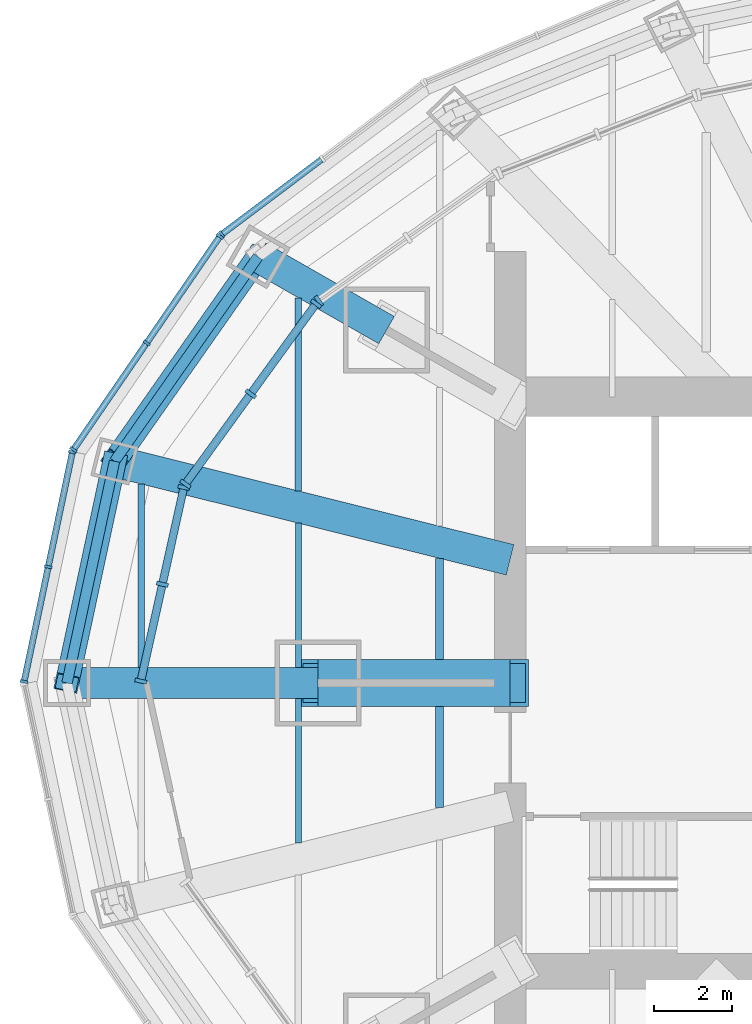
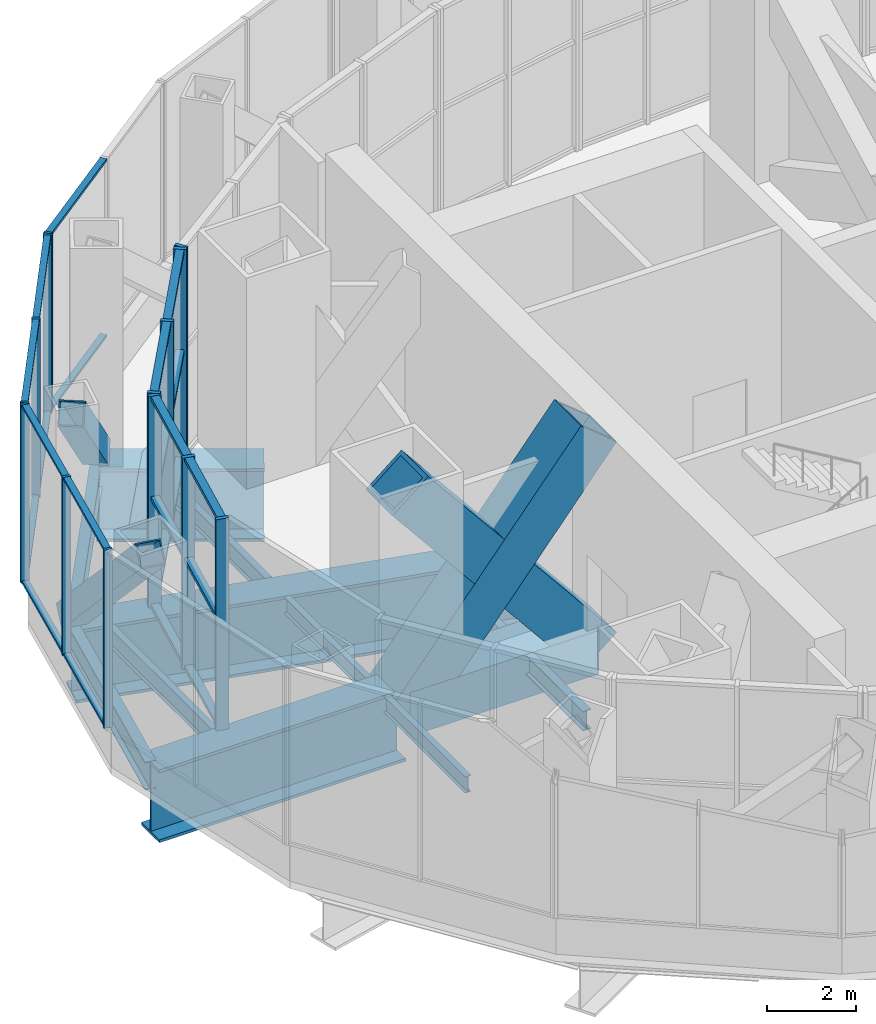
# One storey, part 5 of 21: 40 members, 12 beams, 6 elements without a shape of their own.
"""IFC4 building model written with IfcOpenShell, lengths in metres."""

from ifc_helpers import new_model, si_unit, direction, frame, origin, origin_2d, place, context, subcontext, project, spatial, rectangle, hollow_rectangle, i_section, extrude, material, material_profile, profile_set, type_object, element, aggregate, save


model = new_model("IFC4")

# Units and contexts
model_context = context("Model", 3, precision=1e-05, world=origin(), true_north=direction((0.0, 1.0)))
body_context = subcontext(model_context, "Body", "Model", "MODEL_VIEW")
ifc_project = project(units=[si_unit("LENGTHUNIT", "METRE"), si_unit("AREAUNIT", "SQUARE_METRE"), si_unit("VOLUMEUNIT", "CUBIC_METRE"), si_unit("PLANEANGLEUNIT", "RADIAN"), si_unit("MASSUNIT", "GRAM", prefix="KILO")], contexts=[model_context])

# Site, building, storey
site_placement = place(None, origin())
site = spatial("IfcSite", under=ifc_project, at=site_placement, CompositionType="ELEMENT")
building_placement = place(site_placement, origin())
building = spatial("IfcBuilding", under=site, at=building_placement, Name="Lantaw Convention Tower", CompositionType="ELEMENT")
storey_placement = place(building_placement, frame((0.0, 0.0, 284.39990234375)))
storey = spatial("IfcBuildingStorey", under=building, at=storey_placement, Name="L66", CompositionType="ELEMENT", Elevation=284.39990234375)

# Beams
ifc_material_1 = material(Name="Steel ASTM A992", Category="steel")
ifc_material_profile_1 = material_profile(ifc_material_1, i_section(OverallWidth=0.2666015625, OverallDepth=0.76953125, WebThickness=0.015625, FlangeThickness=0.025390625, FilletRadius=0.0126953125, at=origin_2d()), Name="W30X132")
ifc_profile_set_1 = profile_set([ifc_material_profile_1], Name="Steel ASTM A992")
beam_type_1 = type_object("IfcBeamType", Name="Beam E W30X132", PredefinedType="SPANDREL", material=ifc_profile_set_1)
beam_1_placement = place(storey_placement, frame((-19.02685546875, 10.87255859375, -0.584716796875), z_axis=(-0.574400527612, -0.81857439117, 0.0), x_axis=(0.81857439117, -0.574400527612, 0.0)))
element("IfcBeam", 1, at=beam_1_placement, inside=storey, type_object=beam_type_1, Name="Edge beam 11", PredefinedType="SPANDREL", context=body_context, shape_type="SweptSolid", body=[
    extrude(i_section(OverallWidth=0.2666015625, OverallDepth=0.76953125, WebThickness=0.015625, FlangeThickness=0.025390625, FilletRadius=0.0126953125, at=origin_2d()), origin(), (0.0, 0.0, 1.0), 6.3720703125),
])
beam_2_placement = place(storey_placement, frame((-22.68701171875, 5.656494140625, -0.584716796875), z_axis=(-0.209658780372, -0.977774614015, 0.0), x_axis=(0.977774614015, -0.209658780372, 0.0)))
element("IfcBeam", 2, at=beam_2_placement, inside=storey, type_object=beam_type_1, Name="Edge beam 12", PredefinedType="SPANDREL", context=body_context, shape_type="SweptSolid", body=[
    extrude(i_section(OverallWidth=0.2666015625, OverallDepth=0.76953125, WebThickness=0.015625, FlangeThickness=0.025390625, FilletRadius=0.0126953125, at=origin_2d()), origin(), (0.0, 0.0, 1.0), 5.78515625),
])
ifc_material_2 = material(Name="Steel ASTM A572 Grade 50", Category="steel")
ifc_material_profile_2 = material_profile(ifc_material_2, i_section(OverallWidth=0.800048828125, OverallDepth=2.0, WebThickness=0.030029296875, FlangeThickness=0.080078125, at=origin_2d()), Name="PG2000X800X30X80")
ifc_profile_set_2 = profile_set([ifc_material_profile_2], Name="Steel ASTM A572 Grade 50")
beam_type_2 = type_object("IfcBeamType", Name="Beam HG PG2000X800X30X80", PredefinedType="BEAM", material=ifc_profile_set_2)
beam_3_placement = place(storey_placement, frame((-15.75, 9.0, -1.199951171875), z_axis=(-0.868235180478, 0.496152870978, 0.0), x_axis=(-0.496152870978, -0.868235180478, 0.0)))
element("IfcBeam", 3, at=beam_3_placement, inside=storey, type_object=beam_type_2, Name="Floor girder on ray 11", PredefinedType="BEAM", context=body_context, shape_type="SweptSolid", body=[
    extrude(i_section(OverallWidth=0.800048828125, OverallDepth=2.0, WebThickness=0.030029296875, FlangeThickness=0.080078125, at=origin_2d()), origin(), (0.0, 0.0, 1.0), 3.774169921875),
])
beam_4_placement = place(storey_placement, frame((-12.60009765625, 3.1416015625, -1.199951171875), z_axis=(-0.97029702597, 0.241916682751, 0.0), x_axis=(-0.241916682751, -0.97029702597, 0.0)))
element("IfcBeam", 4, at=beam_4_placement, inside=storey, type_object=beam_type_2, Name="Floor girder on ray 12", PredefinedType="BEAM", context=body_context, shape_type="SweptSolid", body=[
    extrude(i_section(OverallWidth=0.800048828125, OverallDepth=2.0, WebThickness=0.030029296875, FlangeThickness=0.080078125, at=origin_2d()), origin(), (0.0, 0.0, 1.0), 10.395751953125),
])
beam_5_placement = place(storey_placement, frame((-17.5, 0.0, -1.199951171875), z_axis=(-1.0, 0.0, 0.0), x_axis=(0.0, -1.0, 0.0)))
element("IfcBeam", 5, at=beam_5_placement, inside=storey, type_object=beam_type_2, Name="Floor girder on ray 13", PredefinedType="BEAM", context=body_context, shape_type="SweptSolid", body=[
    extrude(i_section(OverallWidth=0.800048828125, OverallDepth=2.0, WebThickness=0.030029296875, FlangeThickness=0.080078125, at=origin_2d()), origin(), (0.0, 0.0, 1.0), 6.39990234375),
])
ifc_material_profile_3 = material_profile(ifc_material_1, i_section(OverallWidth=0.15234375, OverallDepth=0.449462890625, WebThickness=0.007568359375, FlangeThickness=0.0107421875, FilletRadius=0.01025390625, at=origin_2d()), Name="W18X35")
ifc_profile_set_3 = profile_set([ifc_material_profile_3], Name="Steel ASTM A992")
beam_type_3 = type_object("IfcBeamType", Name="Beam J W18X35", PredefinedType="JOIST", material=ifc_profile_set_3)
for number, where, z_axis, x_axis, name in (
    (6, (-18.0, -4.07568359375, -0.4248046875), (0.0, 1.0, 0.0), (-1.0, 0.0, 0.0), "Floor joist"),
    (7, (-18.0, 0.39990234375, -0.4248046875), (0.0, 1.0, 0.0), (-1.0, 0.0, 0.0), "Floor joist"),
):
    element("IfcBeam", number, at=place(storey_placement, frame(where, z_axis=z_axis, x_axis=x_axis)), inside=storey, type_object=beam_type_3, Name=name, PredefinedType="JOIST", context=body_context, shape_type="SweptSolid", body=[
        extrude(i_section(OverallWidth=0.15234375, OverallDepth=0.449462890625, WebThickness=0.007568359375, FlangeThickness=0.0107421875, FilletRadius=0.01025390625, at=origin_2d()), origin(), (0.0, 0.0, 1.0), 3.67578125),
    ])
ifc_material_profile_4 = material_profile(ifc_material_1, i_section(OverallWidth=0.1650390625, OverallDepth=0.52587890625, WebThickness=0.0087890625, FlangeThickness=0.011474609375, FilletRadius=0.0126953125, at=origin_2d()), Name="W21X44")
ifc_profile_set_4 = profile_set([ifc_material_profile_4], Name="Steel ASTM A992")
beam_type_4 = type_object("IfcBeamType", Name="Beam J W21X44", PredefinedType="JOIST", material=ifc_profile_set_4)
beam_6_placement = place(storey_placement, frame((-22.0, 0.39990234375, -0.462890625), z_axis=(0.0, 1.0, 0.0), x_axis=(-1.0, 0.0, 0.0)))
element("IfcBeam", 8, at=beam_6_placement, inside=storey, type_object=beam_type_4, Name="Floor joist", PredefinedType="JOIST", context=body_context, shape_type="SweptSolid", body=[
    extrude(i_section(OverallWidth=0.1650390625, OverallDepth=0.52587890625, WebThickness=0.0087890625, FlangeThickness=0.011474609375, FilletRadius=0.0126953125, at=origin_2d()), origin(), (0.0, 0.0, 1.0), 4.673095703125),
])
ifc_material_profile_5 = material_profile(ifc_material_1, i_section(OverallWidth=0.165771484375, OverallDepth=0.5283203125, WebThickness=0.009765625, FlangeThickness=0.013671875, FilletRadius=0.012939453125, at=origin_2d()), Name="W21X50")
ifc_profile_set_5 = profile_set([ifc_material_profile_5], Name="Steel ASTM A992")
beam_type_5 = type_object("IfcBeamType", Name="Beam J W21X50", PredefinedType="JOIST", material=ifc_profile_set_5)
beam_7_placement = place(storey_placement, frame((-18.0, 4.900146484375, -0.464111328125), z_axis=(0.0, 1.0, 0.0), x_axis=(-1.0, 0.0, 0.0)))
element("IfcBeam", 9, at=beam_7_placement, inside=storey, type_object=beam_type_5, Name="Floor joist", PredefinedType="JOIST", context=body_context, shape_type="SweptSolid", body=[
    extrude(i_section(OverallWidth=0.165771484375, OverallDepth=0.5283203125, WebThickness=0.009765625, FlangeThickness=0.013671875, FilletRadius=0.012939453125, at=origin_2d()), origin(), (0.0, 0.0, 1.0), 4.9248046875),
])
ifc_material_profile_6 = material_profile(ifc_material_1, i_section(OverallWidth=0.2099609375, OverallDepth=0.535888671875, WebThickness=0.010986328125, FlangeThickness=0.017333984375, FilletRadius=0.012939453125, at=origin_2d()), Name="W21X68")
ifc_profile_set_6 = profile_set([ifc_material_profile_6], Name="Steel ASTM A992")
beam_type_6 = type_object("IfcBeamType", Name="Beam J W21X68", PredefinedType="JOIST", material=ifc_profile_set_6)
for number, where, z_axis, x_axis, name in (
    (10, (-14.39990234375, -3.177978515625, -0.4677734375), (0.0, 1.0, 0.0), (-1.0, 0.0, 0.0), "Floor joist"),
    (11, (-14.39990234375, 0.60009765625, -0.4677734375), (0.0, 1.0, 0.0), (-1.0, 0.0, 0.0), "Floor joist"),
):
    element("IfcBeam", number, at=place(storey_placement, frame(where, z_axis=z_axis, x_axis=x_axis)), inside=storey, type_object=beam_type_6, Name=name, PredefinedType="JOIST", context=body_context, shape_type="SweptSolid", body=[
        extrude(i_section(OverallWidth=0.2099609375, OverallDepth=0.535888671875, WebThickness=0.010986328125, FlangeThickness=0.017333984375, FilletRadius=0.012939453125, at=origin_2d()), origin(), (0.0, 0.0, 1.0), 2.577880859375),
    ])
ifc_material_3 = material(Name="Steel EN 10025-3 S460N", Category="steel")
ifc_material_profile_7 = material_profile(ifc_material_3, hollow_rectangle(XDim=1.199951171875, YDim=1.199951171875, WallThickness=0.10009765625, at=origin_2d()), Name="BOX1200X100")
ifc_profile_set_7 = profile_set([ifc_material_profile_7], Name="Steel EN 10025-3 S460N")
beam_type_7 = type_object("IfcBeamType", Name="Beam OC BOX1200X100", PredefinedType="BEAM", material=ifc_profile_set_7)
beam_8_placement = place(storey_placement, frame((-12.60009765625, 0.0, -0.7998046875), z_axis=(-1.0, 0.0, 0.0), x_axis=(0.0, -1.0, 0.0)))
element("IfcBeam", 12, at=beam_8_placement, inside=storey, type_object=beam_type_7, Name="Outrigger chord on ray 13", PredefinedType="BEAM", context=body_context, shape_type="SweptSolid", body=[
    extrude(hollow_rectangle(XDim=1.199951171875, YDim=1.199951171875, WallThickness=0.10009765625, at=origin_2d()), origin(), (0.0, 0.0, 1.0), 4.89990234375),
])

# Curtain wall, member
ifc_material_4 = material(Name="Aluminium framed curtain wall", Category="aluminium")
curtain_wall_type_1 = type_object("IfcCurtainWallType", Name="Lantern corner louvre curtain wall, pale aluminium", PredefinedType="USERDEFINED", material=ifc_material_4)
curtain_wall_1_placement = place(storey_placement, origin())
curtain_wall_1 = element("IfcCurtainWall", 13, at=curtain_wall_1_placement, inside=storey, type_object=curtain_wall_type_1, Name="Lantern corner louvre curtain wall, pale aluminium L66", ObjectType="LOUVRE WALL", PredefinedType="USERDEFINED")
ifc_material_5 = material(Name="Aluminium 6063-T6", Category="aluminium")
ifc_material_profile_8 = material_profile(ifc_material_5, rectangle(XDim=0.300048828125, YDim=0.10009765625, at=origin_2d()), Name="CW-LC mullion 100x300")
ifc_profile_set_8 = profile_set([ifc_material_profile_8], Name="Aluminium 6063-T6")
member_type_1 = type_object("IfcMemberType", Name="CW-LC mullion 100x300", PredefinedType="MULLION", material=ifc_profile_set_8)
member_1_placement = place(storey_placement, frame((-17.477783203125, 9.7431640625, 0.0), z_axis=(0.0, 0.0, 1.0), x_axis=(0.579683901346, -0.814841441337, 0.0)))
member_1 = element("IfcMember", 14, at=member_1_placement, type_object=member_type_1, Name="CW-LC mullion 3", PredefinedType="MULLION", context=body_context, shape_type="SweptSolid", body=[
    extrude(rectangle(XDim=0.300048828125, YDim=0.10009765625, at=origin_2d()), origin(), (0.0, 0.0, 1.0), 5.800048828125),
])
aggregate(curtain_wall_1, [member_1])

# Curtain wall, members
curtain_wall_type_2 = type_object("IfcCurtainWallType", Name="LANTERN glazing curtain wall, pale aluminium", PredefinedType="USERDEFINED", material=ifc_material_4)
curtain_wall_2_placement = place(storey_placement, origin())
curtain_wall_2 = element("IfcCurtainWall", 15, at=curtain_wall_2_placement, inside=storey, type_object=curtain_wall_type_2, Name="LANTERN glazing curtain wall, pale aluminium L66", ObjectType="LANTERN GLAZING", PredefinedType="USERDEFINED")
ifc_material_profile_9 = material_profile(ifc_material_5, rectangle(XDim=0.300048828125, YDim=0.10009765625, at=origin_2d()), Name="CW-LN mullion 100x300")
ifc_profile_set_9 = profile_set([ifc_material_profile_9], Name="Aluminium 6063-T6")
member_type_2 = type_object("IfcMemberType", Name="CW-LN mullion 100x300", PredefinedType="MULLION", material=ifc_profile_set_9)
member_2_placement = place(storey_placement, frame((-17.5478515625, 9.673583984375, 0.0), z_axis=(0.0, 0.0, 1.0), x_axis=(0.809741800193, -0.586786346995, 0.0)))
member_2 = element("IfcMember", 16, at=member_2_placement, type_object=member_type_2, Name="CW-LN mullion 1", PredefinedType="MULLION", context=body_context, shape_type="SweptSolid", body=[
    extrude(rectangle(XDim=0.300048828125, YDim=0.10009765625, at=origin_2d()), origin(), (0.0, 0.0, 1.0), 5.800048828125),
])
member_3_placement = place(storey_placement, frame((-19.213623046875, 7.375, 0.0), z_axis=(0.0, 0.0, 1.0), x_axis=(0.809741800193, -0.586786346995, 0.0)))
member_3 = element("IfcMember", 17, at=member_3_placement, type_object=member_type_2, Name="CW-LN mullion 2", PredefinedType="MULLION", context=body_context, shape_type="SweptSolid", body=[
    extrude(rectangle(XDim=0.300048828125, YDim=0.10009765625, at=origin_2d()), origin(), (0.0, 0.0, 1.0), 5.800048828125),
])
member_4_placement = place(storey_placement, frame((-20.87939453125, 5.076171875, 0.0), z_axis=(0.0, 0.0, 1.0), x_axis=(0.809741800193, -0.586786346995, 0.0)))
member_4 = element("IfcMember", 18, at=member_4_placement, type_object=member_type_2, Name="CW-LN mullion 3", PredefinedType="MULLION", context=body_context, shape_type="SweptSolid", body=[
    extrude(rectangle(XDim=0.300048828125, YDim=0.10009765625, at=origin_2d()), origin(), (0.0, 0.0, 1.0), 5.800048828125),
])

curtain_wall_3_placement = place(storey_placement, origin())
curtain_wall_3 = element("IfcCurtainWall", 19, at=curtain_wall_3_placement, inside=storey, type_object=curtain_wall_type_2, Name="LANTERN glazing curtain wall, pale aluminium L66", ObjectType="LANTERN GLAZING", PredefinedType="USERDEFINED")
member_5_placement = place(storey_placement, frame((-20.919677734375, 4.98681640625, 0.0), z_axis=(0.0, 0.0, 1.0), x_axis=(0.976223729568, -0.216765379683, 0.0)))
member_5 = element("IfcMember", 20, at=member_5_placement, type_object=member_type_2, Name="CW-LN mullion 1", PredefinedType="MULLION", context=body_context, shape_type="SweptSolid", body=[
    extrude(rectangle(XDim=0.300048828125, YDim=0.10009765625, at=origin_2d()), origin(), (0.0, 0.0, 1.0), 5.800048828125),
])
member_6_placement = place(storey_placement, frame((-21.4677734375, 2.517822265625, 0.0), z_axis=(0.0, 0.0, 1.0), x_axis=(0.976223729568, -0.216765379683, 0.0)))
member_6 = element("IfcMember", 21, at=member_6_placement, type_object=member_type_2, Name="CW-LN mullion 2", PredefinedType="MULLION", context=body_context, shape_type="SweptSolid", body=[
    extrude(rectangle(XDim=0.300048828125, YDim=0.10009765625, at=origin_2d()), origin(), (0.0, 0.0, 1.0), 5.800048828125),
])
member_7_placement = place(storey_placement, frame((-22.01611328125, 0.048828125, 0.0), z_axis=(0.0, 0.0, 1.0), x_axis=(0.976223729568, -0.216765379683, 0.0)))
member_7 = element("IfcMember", 22, at=member_7_placement, type_object=member_type_2, Name="CW-LN mullion 3", PredefinedType="MULLION", context=body_context, shape_type="SweptSolid", body=[
    extrude(rectangle(XDim=0.300048828125, YDim=0.10009765625, at=origin_2d()), origin(), (0.0, 0.0, 1.0), 5.800048828125),
])

# Member
ifc_material_profile_10 = material_profile(ifc_material_5, rectangle(XDim=0.199951171875, YDim=0.10009765625, at=origin_2d()), Name="CW-LN transom 100x200")
ifc_profile_set_10 = profile_set([ifc_material_profile_10], Name="Aluminium 6063-T6")
member_type_3 = type_object("IfcMemberType", Name="CW-LN transom 100x200", PredefinedType="USERDEFINED", material=ifc_profile_set_10)
member_8_placement = place(storey_placement, frame((-17.5771484375, 9.633056640625, 0.050048828125), z_axis=(-0.586798118951, -0.809733269414, 0.0), x_axis=(0.809733269414, -0.586798118951, 0.0)))
member_8 = element("IfcMember", 23, at=member_8_placement, type_object=member_type_3, Name="CW-LN transom 1.1", ObjectType="TRANSOM", PredefinedType="USERDEFINED", context=body_context, shape_type="SweptSolid", body=[
    extrude(rectangle(XDim=0.199951171875, YDim=0.10009765625, at=origin_2d()), origin(), (0.0, 0.0, 1.0), 2.739013671875),
])

member_9_placement = place(storey_placement, frame((-17.5771484375, 9.633056640625, 3.0), z_axis=(-0.586798118951, -0.809733269414, 0.0), x_axis=(0.809733269414, -0.586798118951, 0.0)))
member_9 = element("IfcMember", 24, at=member_9_placement, type_object=member_type_3, Name="CW-LN transom 1.2", ObjectType="TRANSOM", PredefinedType="USERDEFINED", context=body_context, shape_type="SweptSolid", body=[
    extrude(rectangle(XDim=0.199951171875, YDim=0.10009765625, at=origin_2d()), origin(), (0.0, 0.0, 1.0), 2.739013671875),
])

member_10_placement = place(storey_placement, frame((-17.5771484375, 9.633056640625, 5.75), z_axis=(-0.586798118951, -0.809733269414, 0.0), x_axis=(0.809733269414, -0.586798118951, 0.0)))
member_10 = element("IfcMember", 25, at=member_10_placement, type_object=member_type_3, Name="CW-LN transom 1.3", ObjectType="TRANSOM", PredefinedType="USERDEFINED", context=body_context, shape_type="SweptSolid", body=[
    extrude(rectangle(XDim=0.199951171875, YDim=0.10009765625, at=origin_2d()), origin(), (0.0, 0.0, 1.0), 2.739013671875),
])

member_11_placement = place(storey_placement, frame((-19.242919921875, 7.33447265625, 0.050048828125), z_axis=(-0.586798118951, -0.809733269414, 0.0), x_axis=(0.809733269414, -0.586798118951, 0.0)))
member_11 = element("IfcMember", 26, at=member_11_placement, type_object=member_type_3, Name="CW-LN transom 2.1", ObjectType="TRANSOM", PredefinedType="USERDEFINED", context=body_context, shape_type="SweptSolid", body=[
    extrude(rectangle(XDim=0.199951171875, YDim=0.10009765625, at=origin_2d()), origin(), (0.0, 0.0, 1.0), 2.739013671875),
])

member_12_placement = place(storey_placement, frame((-19.242919921875, 7.33447265625, 3.0), z_axis=(-0.586798118951, -0.809733269414, 0.0), x_axis=(0.809733269414, -0.586798118951, 0.0)))
member_12 = element("IfcMember", 27, at=member_12_placement, type_object=member_type_3, Name="CW-LN transom 2.2", ObjectType="TRANSOM", PredefinedType="USERDEFINED", context=body_context, shape_type="SweptSolid", body=[
    extrude(rectangle(XDim=0.199951171875, YDim=0.10009765625, at=origin_2d()), origin(), (0.0, 0.0, 1.0), 2.739013671875),
])

member_13_placement = place(storey_placement, frame((-19.242919921875, 7.33447265625, 5.75), z_axis=(-0.586798118951, -0.809733269414, 0.0), x_axis=(0.809733269414, -0.586798118951, 0.0)))
member_13 = element("IfcMember", 28, at=member_13_placement, type_object=member_type_3, Name="CW-LN transom 2.3", ObjectType="TRANSOM", PredefinedType="USERDEFINED", context=body_context, shape_type="SweptSolid", body=[
    extrude(rectangle(XDim=0.199951171875, YDim=0.10009765625, at=origin_2d()), origin(), (0.0, 0.0, 1.0), 2.739013671875),
])

aggregate(curtain_wall_2, [member_2, member_3, member_4, member_8, member_9, member_10, member_11, member_12, member_13])

member_14_placement = place(storey_placement, frame((-20.930419921875, 4.93798828125, 0.050048828125), z_axis=(-0.21679211166, -0.976217793488, 0.0), x_axis=(0.976217793488, -0.21679211166, 0.0)))
member_14 = element("IfcMember", 29, at=member_14_placement, type_object=member_type_3, Name="CW-LN transom 1.1", ObjectType="TRANSOM", PredefinedType="USERDEFINED", context=body_context, shape_type="SweptSolid", body=[
    extrude(rectangle(XDim=0.199951171875, YDim=0.10009765625, at=origin_2d()), origin(), (0.0, 0.0, 1.0), 2.42919921875),
])

member_15_placement = place(storey_placement, frame((-20.930419921875, 4.93798828125, 3.0), z_axis=(-0.21679211166, -0.976217793488, 0.0), x_axis=(0.976217793488, -0.21679211166, 0.0)))
member_15 = element("IfcMember", 30, at=member_15_placement, type_object=member_type_3, Name="CW-LN transom 1.2", ObjectType="TRANSOM", PredefinedType="USERDEFINED", context=body_context, shape_type="SweptSolid", body=[
    extrude(rectangle(XDim=0.199951171875, YDim=0.10009765625, at=origin_2d()), origin(), (0.0, 0.0, 1.0), 2.42919921875),
])

member_16_placement = place(storey_placement, frame((-20.930419921875, 4.93798828125, 5.75), z_axis=(-0.21679211166, -0.976217793488, 0.0), x_axis=(0.976217793488, -0.21679211166, 0.0)))
member_16 = element("IfcMember", 31, at=member_16_placement, type_object=member_type_3, Name="CW-LN transom 1.3", ObjectType="TRANSOM", PredefinedType="USERDEFINED", context=body_context, shape_type="SweptSolid", body=[
    extrude(rectangle(XDim=0.199951171875, YDim=0.10009765625, at=origin_2d()), origin(), (0.0, 0.0, 1.0), 2.42919921875),
])

member_17_placement = place(storey_placement, frame((-21.478515625, 2.468994140625, 0.050048828125), z_axis=(-0.21679211166, -0.976217793488, 0.0), x_axis=(0.976217793488, -0.21679211166, 0.0)))
member_17 = element("IfcMember", 32, at=member_17_placement, type_object=member_type_3, Name="CW-LN transom 2.1", ObjectType="TRANSOM", PredefinedType="USERDEFINED", context=body_context, shape_type="SweptSolid", body=[
    extrude(rectangle(XDim=0.199951171875, YDim=0.10009765625, at=origin_2d()), origin(), (0.0, 0.0, 1.0), 2.42919921875),
])

member_18_placement = place(storey_placement, frame((-21.478515625, 2.468994140625, 3.0), z_axis=(-0.21679211166, -0.976217793488, 0.0), x_axis=(0.976217793488, -0.21679211166, 0.0)))
member_18 = element("IfcMember", 33, at=member_18_placement, type_object=member_type_3, Name="CW-LN transom 2.2", ObjectType="TRANSOM", PredefinedType="USERDEFINED", context=body_context, shape_type="SweptSolid", body=[
    extrude(rectangle(XDim=0.199951171875, YDim=0.10009765625, at=origin_2d()), origin(), (0.0, 0.0, 1.0), 2.42919921875),
])

member_19_placement = place(storey_placement, frame((-21.478515625, 2.468994140625, 5.75), z_axis=(-0.21679211166, -0.976217793488, 0.0), x_axis=(0.976217793488, -0.21679211166, 0.0)))
member_19 = element("IfcMember", 34, at=member_19_placement, type_object=member_type_3, Name="CW-LN transom 2.3", ObjectType="TRANSOM", PredefinedType="USERDEFINED", context=body_context, shape_type="SweptSolid", body=[
    extrude(rectangle(XDim=0.199951171875, YDim=0.10009765625, at=origin_2d()), origin(), (0.0, 0.0, 1.0), 2.42919921875),
])

aggregate(curtain_wall_3, [member_5, member_6, member_7, member_14, member_15, member_16, member_17, member_18, member_19])

# Curtain wall, member
curtain_wall_type_3 = type_object("IfcCurtainWallType", Name="Plant floor louvre wall, pale aluminium", PredefinedType="USERDEFINED", material=ifc_material_4)
curtain_wall_4_placement = place(storey_placement, origin())
curtain_wall_4 = element("IfcCurtainWall", 35, at=curtain_wall_4_placement, inside=storey, type_object=curtain_wall_type_3, Name="Plant floor louvre wall, pale aluminium L66", ObjectType="LOUVRE WALL", PredefinedType="USERDEFINED")
ifc_material_profile_11 = material_profile(ifc_material_5, rectangle(XDim=0.199951171875, YDim=0.070068359375, at=origin_2d()), Name="CW-LV mullion 70x200")
ifc_profile_set_11 = profile_set([ifc_material_profile_11], Name="Aluminium 6063-T6")
member_type_4 = type_object("IfcMemberType", Name="CW-LV mullion 70x200", PredefinedType="MULLION", material=ifc_profile_set_11)
member_20_placement = place(storey_placement, frame((-19.953857421875, 11.439208984375, 1.10009765625), z_axis=(0.0, 0.0, 1.0), x_axis=(0.600642756762, -0.799517528732, 0.0)))
member_20 = element("IfcMember", 36, at=member_20_placement, type_object=member_type_4, Name="CW-LV mullion 3", PredefinedType="MULLION", context=body_context, shape_type="SweptSolid", body=[
    extrude(rectangle(XDim=0.199951171875, YDim=0.070068359375, at=origin_2d()), origin(), (0.0, 0.0, 1.0), 4.89990234375),
])

# Curtain wall, members
curtain_wall_5_placement = place(storey_placement, origin())
curtain_wall_5 = element("IfcCurtainWall", 37, at=curtain_wall_5_placement, inside=storey, type_object=curtain_wall_type_3, Name="Plant floor louvre wall, pale aluminium L66", ObjectType="LOUVRE WALL", PredefinedType="USERDEFINED")
member_21_placement = place(storey_placement, frame((-20.001708984375, 11.389404296875, 1.10009765625), z_axis=(0.0, 0.0, 1.0), x_axis=(0.824449977189, -0.565934832921, 0.0)))
member_21 = element("IfcMember", 38, at=member_21_placement, type_object=member_type_4, Name="CW-LV mullion 1", PredefinedType="MULLION", context=body_context, shape_type="SweptSolid", body=[
    extrude(rectangle(XDim=0.199951171875, YDim=0.070068359375, at=origin_2d()), origin(), (0.0, 0.0, 1.0), 4.89990234375),
])
member_22_placement = place(storey_placement, frame((-21.8681640625, 8.67041015625, 1.10009765625), z_axis=(0.0, 0.0, 1.0), x_axis=(0.824449977189, -0.565934832921, 0.0)))
member_22 = element("IfcMember", 39, at=member_22_placement, type_object=member_type_4, Name="CW-LV mullion 2", PredefinedType="MULLION", context=body_context, shape_type="SweptSolid", body=[
    extrude(rectangle(XDim=0.199951171875, YDim=0.070068359375, at=origin_2d()), origin(), (0.0, 0.0, 1.0), 4.89990234375),
])
member_23_placement = place(storey_placement, frame((-23.734619140625, 5.951416015625, 1.10009765625), z_axis=(0.0, 0.0, 1.0), x_axis=(0.824449977189, -0.565934832921, 0.0)))
member_23 = element("IfcMember", 40, at=member_23_placement, type_object=member_type_4, Name="CW-LV mullion 3", PredefinedType="MULLION", context=body_context, shape_type="SweptSolid", body=[
    extrude(rectangle(XDim=0.199951171875, YDim=0.070068359375, at=origin_2d()), origin(), (0.0, 0.0, 1.0), 4.89990234375),
])

curtain_wall_6_placement = place(storey_placement, origin())
curtain_wall_6 = element("IfcCurtainWall", 41, at=curtain_wall_6_placement, inside=storey, type_object=curtain_wall_type_3, Name="Plant floor louvre wall, pale aluminium L66", ObjectType="LOUVRE WALL", PredefinedType="USERDEFINED")
member_24_placement = place(storey_placement, frame((-23.761474609375, 5.888427734375, 1.10009765625), z_axis=(0.0, 0.0, 1.0), x_axis=(0.978591117263, -0.205814054946, 0.0)))
member_24 = element("IfcMember", 42, at=member_24_placement, type_object=member_type_4, Name="CW-LV mullion 1", PredefinedType="MULLION", context=body_context, shape_type="SweptSolid", body=[
    extrude(rectangle(XDim=0.199951171875, YDim=0.070068359375, at=origin_2d()), origin(), (0.0, 0.0, 1.0), 4.89990234375),
])
member_25_placement = place(storey_placement, frame((-24.377197265625, 2.96142578125, 1.10009765625), z_axis=(0.0, 0.0, 1.0), x_axis=(0.978591117263, -0.205814054946, 0.0)))
member_25 = element("IfcMember", 43, at=member_25_placement, type_object=member_type_4, Name="CW-LV mullion 2", PredefinedType="MULLION", context=body_context, shape_type="SweptSolid", body=[
    extrude(rectangle(XDim=0.199951171875, YDim=0.070068359375, at=origin_2d()), origin(), (0.0, 0.0, 1.0), 4.89990234375),
])
member_26_placement = place(storey_placement, frame((-24.99267578125, 0.0341796875, 1.10009765625), z_axis=(0.0, 0.0, 1.0), x_axis=(0.978591117263, -0.205814054946, 0.0)))
member_26 = element("IfcMember", 44, at=member_26_placement, type_object=member_type_4, Name="CW-LV mullion 3", PredefinedType="MULLION", context=body_context, shape_type="SweptSolid", body=[
    extrude(rectangle(XDim=0.199951171875, YDim=0.070068359375, at=origin_2d()), origin(), (0.0, 0.0, 1.0), 4.89990234375),
])

# Member
ifc_material_profile_12 = material_profile(ifc_material_5, rectangle(XDim=0.159912109375, YDim=0.070068359375, at=origin_2d()), Name="CW-LV transom 70x160")
ifc_profile_set_12 = profile_set([ifc_material_profile_12], Name="Aluminium 6063-T6")
member_type_5 = type_object("IfcMemberType", Name="CW-LV transom 70x160", PredefinedType="USERDEFINED", material=ifc_profile_set_12)
member_27_placement = place(storey_placement, frame((-17.414794921875, 13.346923828125, 1.135009765625), z_axis=(-0.799496049611, -0.600671346626, 0.0), x_axis=(0.600671346626, -0.799496049611, 0.0)))
member_27 = element("IfcMember", 45, at=member_27_placement, type_object=member_type_5, Name="CW-LV transom 2.1", ObjectType="TRANSOM", PredefinedType="USERDEFINED", context=body_context, shape_type="SweptSolid", body=[
    extrude(rectangle(XDim=0.159912109375, YDim=0.070068359375, at=origin_2d()), origin(), (0.0, 0.0, 1.0), 3.14111328125),
])

member_28_placement = place(storey_placement, frame((-17.414794921875, 13.346923828125, 5.965087890625), z_axis=(-0.799496049611, -0.600671346626, 0.0), x_axis=(0.600671346626, -0.799496049611, 0.0)))
member_28 = element("IfcMember", 46, at=member_28_placement, type_object=member_type_5, Name="CW-LV transom 2.2", ObjectType="TRANSOM", PredefinedType="USERDEFINED", context=body_context, shape_type="SweptSolid", body=[
    extrude(rectangle(XDim=0.159912109375, YDim=0.070068359375, at=origin_2d()), origin(), (0.0, 0.0, 1.0), 3.14111328125),
])

aggregate(curtain_wall_4, [member_20, member_27, member_28])

member_29_placement = place(storey_placement, frame((-20.021484375, 11.360595703125, 1.135009765625), z_axis=(-0.56594129057, -0.824445544368, 0.0), x_axis=(0.824445544368, -0.56594129057, 0.0)))
member_29 = element("IfcMember", 47, at=member_29_placement, type_object=member_type_5, Name="CW-LV transom 1.1", ObjectType="TRANSOM", PredefinedType="USERDEFINED", context=body_context, shape_type="SweptSolid", body=[
    extrude(rectangle(XDim=0.159912109375, YDim=0.070068359375, at=origin_2d()), origin(), (0.0, 0.0, 1.0), 3.22802734375),
])

member_30_placement = place(storey_placement, frame((-20.021484375, 11.360595703125, 5.965087890625), z_axis=(-0.56594129057, -0.824445544368, 0.0), x_axis=(0.824445544368, -0.56594129057, 0.0)))
member_30 = element("IfcMember", 48, at=member_30_placement, type_object=member_type_5, Name="CW-LV transom 1.2", ObjectType="TRANSOM", PredefinedType="USERDEFINED", context=body_context, shape_type="SweptSolid", body=[
    extrude(rectangle(XDim=0.159912109375, YDim=0.070068359375, at=origin_2d()), origin(), (0.0, 0.0, 1.0), 3.22802734375),
])

member_31_placement = place(storey_placement, frame((-21.887939453125, 8.6416015625, 1.135009765625), z_axis=(-0.56594129057, -0.824445544368, 0.0), x_axis=(0.824445544368, -0.56594129057, 0.0)))
member_31 = element("IfcMember", 49, at=member_31_placement, type_object=member_type_5, Name="CW-LV transom 2.1", ObjectType="TRANSOM", PredefinedType="USERDEFINED", context=body_context, shape_type="SweptSolid", body=[
    extrude(rectangle(XDim=0.159912109375, YDim=0.070068359375, at=origin_2d()), origin(), (0.0, 0.0, 1.0), 3.22802734375),
])

member_32_placement = place(storey_placement, frame((-21.887939453125, 8.6416015625, 5.965087890625), z_axis=(-0.56594129057, -0.824445544368, 0.0), x_axis=(0.824445544368, -0.56594129057, 0.0)))
member_32 = element("IfcMember", 50, at=member_32_placement, type_object=member_type_5, Name="CW-LV transom 2.2", ObjectType="TRANSOM", PredefinedType="USERDEFINED", context=body_context, shape_type="SweptSolid", body=[
    extrude(rectangle(XDim=0.159912109375, YDim=0.070068359375, at=origin_2d()), origin(), (0.0, 0.0, 1.0), 3.22802734375),
])

aggregate(curtain_wall_5, [member_21, member_22, member_23, member_29, member_30, member_31, member_32])

member_33_placement = place(storey_placement, frame((-23.768798828125, 5.854248046875, 1.135009765625), z_axis=(-0.205766173106, -0.978601186391, 0.0), x_axis=(0.978601186391, -0.205766173106, 0.0)))
member_33 = element("IfcMember", 51, at=member_33_placement, type_object=member_type_5, Name="CW-LV transom 1.1", ObjectType="TRANSOM", PredefinedType="USERDEFINED", context=body_context, shape_type="SweptSolid", body=[
    extrude(rectangle(XDim=0.159912109375, YDim=0.070068359375, at=origin_2d()), origin(), (0.0, 0.0, 1.0), 2.921142578125),
])

member_34_placement = place(storey_placement, frame((-23.768798828125, 5.854248046875, 5.965087890625), z_axis=(-0.205766173106, -0.978601186391, 0.0), x_axis=(0.978601186391, -0.205766173106, 0.0)))
member_34 = element("IfcMember", 52, at=member_34_placement, type_object=member_type_5, Name="CW-LV transom 1.2", ObjectType="TRANSOM", PredefinedType="USERDEFINED", context=body_context, shape_type="SweptSolid", body=[
    extrude(rectangle(XDim=0.159912109375, YDim=0.070068359375, at=origin_2d()), origin(), (0.0, 0.0, 1.0), 2.921142578125),
])

member_35_placement = place(storey_placement, frame((-24.38427734375, 2.927001953125, 1.135009765625), z_axis=(-0.205863045856, -0.978580812376, 0.0), x_axis=(0.978580812376, -0.205863045856, 0.0)))
member_35 = element("IfcMember", 53, at=member_35_placement, type_object=member_type_5, Name="CW-LV transom 2.1", ObjectType="TRANSOM", PredefinedType="USERDEFINED", context=body_context, shape_type="SweptSolid", body=[
    extrude(rectangle(XDim=0.159912109375, YDim=0.070068359375, at=origin_2d()), origin(), (0.0, 0.0, 1.0), 2.9208984375),
])

member_36_placement = place(storey_placement, frame((-24.38427734375, 2.927001953125, 5.965087890625), z_axis=(-0.205863045856, -0.978580812376, 0.0), x_axis=(0.978580812376, -0.205863045856, 0.0)))
member_36 = element("IfcMember", 54, at=member_36_placement, type_object=member_type_5, Name="CW-LV transom 2.2", ObjectType="TRANSOM", PredefinedType="USERDEFINED", context=body_context, shape_type="SweptSolid", body=[
    extrude(rectangle(XDim=0.159912109375, YDim=0.070068359375, at=origin_2d()), origin(), (0.0, 0.0, 1.0), 2.9208984375),
])

aggregate(curtain_wall_6, [member_24, member_25, member_26, member_33, member_34, member_35, member_36])

# Members
ifc_material_profile_13 = material_profile(ifc_material_2, hollow_rectangle(XDim=0.60009765625, YDim=0.60009765625, WallThickness=0.031982421875, at=origin_2d()), Name="BOX600X32")
ifc_profile_set_13 = profile_set([ifc_material_profile_13], Name="Steel ASTM A572 Grade 50")
member_type_6 = type_object("IfcMemberType", Name="Member CR BOX600X32", PredefinedType="BRACE", material=ifc_profile_set_13)
member_37_placement = place(storey_placement, frame((-19.02685546875, 10.87255859375, -0.005859375), z_axis=(-0.434827715644, -0.619670100369, 0.653401732793), x_axis=(0.81857439117, -0.574400527612, 0.0)))
element("IfcMember", 55, at=member_37_placement, inside=storey, type_object=member_type_6, Name="Crown ring truss diagonal 11", PredefinedType="BRACE", context=body_context, shape_type="SweptSolid", body=[
    extrude(hollow_rectangle(XDim=0.60009765625, YDim=0.60009765625, WallThickness=0.031982421875, at=origin_2d()), origin(), (0.0, 0.0, 1.0), 8.41748046875),
])
member_38_placement = place(storey_placement, frame((-22.68701171875, 5.656494140625, -0.005859375), z_axis=(-0.151947611747, -0.708630075798, 0.689024918968), x_axis=(0.977774614015, -0.209658780372, 0.0)))
element("IfcMember", 56, at=member_38_placement, inside=storey, type_object=member_type_6, Name="Crown ring truss diagonal 12", PredefinedType="BRACE", context=body_context, shape_type="SweptSolid", body=[
    extrude(hollow_rectangle(XDim=0.60009765625, YDim=0.60009765625, WallThickness=0.031982421875, at=origin_2d()), origin(), (0.0, 0.0, 1.0), 7.982177734375),
])
ifc_material_profile_14 = material_profile(ifc_material_3, hollow_rectangle(XDim=1.199951171875, YDim=1.199951171875, WallThickness=0.10009765625, at=origin_2d()), Name="BOX1200X100")
ifc_profile_set_14 = profile_set([ifc_material_profile_14], Name="Steel EN 10025-3 S460N")
member_type_7 = type_object("IfcMemberType", Name="Member OT BOX1200X100", PredefinedType="BRACE", material=ifc_profile_set_14)
for number, where, z_axis, x_axis, name in (
    (57, (-12.60009765625, 0.0, -0.7998046875), (-0.632527008242, 0.0, 0.774538303665), (0.0, -1.0, 0.0), "Hat truss diagonal 13"),
    (58, (-12.60009765625, 0.0, 5.2001953125), (-0.632527008242, 0.0, -0.774538303665), (0.0, -1.0, 0.0), "Hat truss diagonal 13 (reverse)"),
):
    element("IfcMember", number, at=place(storey_placement, frame(where, z_axis=z_axis, x_axis=x_axis)), inside=storey, type_object=member_type_7, Name=name, PredefinedType="BRACE", context=body_context, shape_type="SweptSolid", body=[
        extrude(hollow_rectangle(XDim=1.199951171875, YDim=1.199951171875, WallThickness=0.10009765625, at=origin_2d()), origin(), (0.0, 0.0, 1.0), 7.74658203125),
    ])

save(model, "model.ifc")
